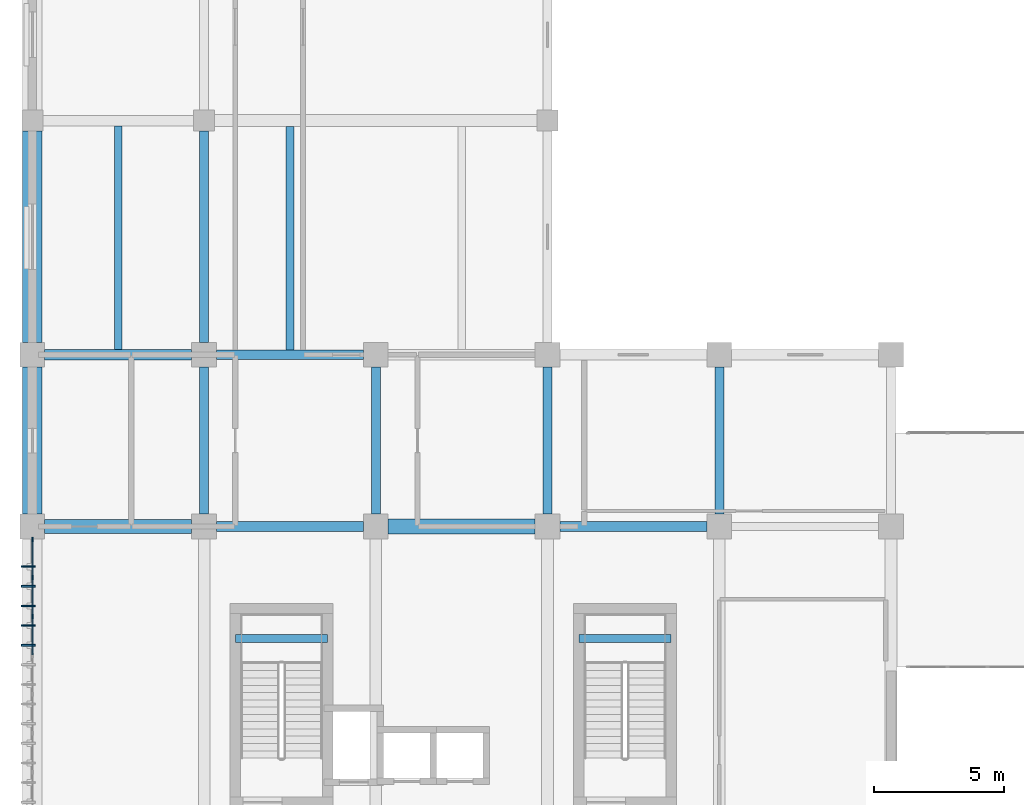
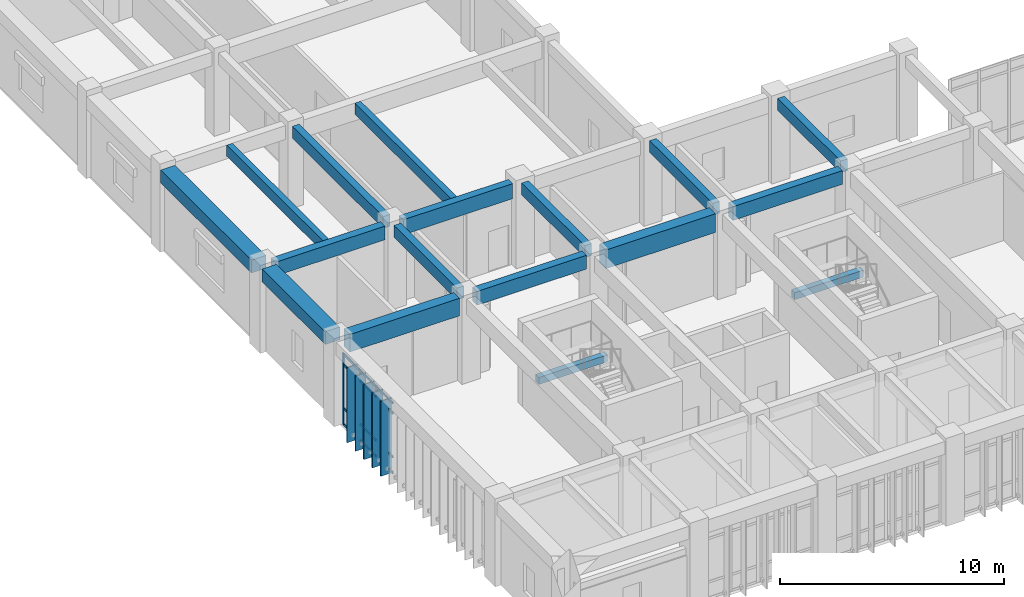
# One storey, part 5 of 65: 20 members, 17 beams, 1 element without a shape of its own.
"""IFC4 building model written with IfcOpenShell, lengths in metres."""

import ifcopenshell
import ifcopenshell.guid

model = None  # the IFC model being written
_history = None  # IfcOwnerHistory: only IFC2X3 demands one
_inside = {}  # id of a spatial element -> (the spatial element, [elements in it])
_under = {}  # id of a project, library or spatial element -> (it, [spatial elements below it])
_declared = {}  # id of a project -> (the project, [libraries it declares])
_typed = {}  # id of a type object -> (the type object, [elements of that type])
_made_of = {}  # id of a material, layer set ... -> (it, [elements and type objects made of it])


def new_model(schema):
    """Start an empty IFC model of exactly this schema.

    Asked for "IFC4X3", IfcOpenShell would pick the latest addendum, in which some entities
    have other attributes; the version numbers below select the first issue.
    IFC2X3 requires an IfcOwnerHistory on every rooted entity: one is made here for all.
    """
    global model, _history
    if schema == "IFC4X3":
        model = ifcopenshell.file(schema_version=(4, 3, 0, 0))
    else:
        model = ifcopenshell.file(schema=schema)
    _inside.clear()
    _under.clear()
    _declared.clear()
    _typed.clear()
    _made_of.clear()
    _history = None
    if model.schema == "IFC2X3":
        org = make("IfcOrganization", Name="unknown")
        user = make(
            "IfcPersonAndOrganization",
            ThePerson=make("IfcPerson", FamilyName="unknown"),
            TheOrganization=org,
        )
        app = make(
            "IfcApplication",
            ApplicationDeveloper=org,
            Version="unknown",
            ApplicationFullName="unknown",
            ApplicationIdentifier="unknown",
        )
        _history = make(
            "IfcOwnerHistory",
            OwningUser=user,
            OwningApplication=app,
            ChangeAction="ADDED",
            CreationDate=0,
        )
    return model


def make(cls, **values):
    """One entity of the class cls with the attributes given. An attribute that is None is left unset."""
    return model.create_entity(
        cls, **{name: value for name, value in values.items() if value is not None}
    )


def rooted(cls, **values):
    """An entity with a GlobalId (a new one), such as an element, a storey or a relation."""
    return make(cls, GlobalId=ifcopenshell.guid.new(), OwnerHistory=_history, **values)


def si_unit(unit_type, name, prefix=None):
    """IfcSIUnit, for example si_unit("LENGTHUNIT", "METRE", prefix="MILLI")."""
    return make("IfcSIUnit", UnitType=unit_type, Prefix=prefix, Name=name)


def assignment(units):
    """IfcUnitAssignment: the units of a project."""
    return None if units is None else make("IfcUnitAssignment", Units=units)


def point(xyz):
    """IfcCartesianPoint."""
    return None if xyz is None else make("IfcCartesianPoint", Coordinates=xyz)


def direction(xyz):
    """IfcDirection."""
    return None if xyz is None else make("IfcDirection", DirectionRatios=xyz)


def frame(location, z_axis=None, x_axis=None):
    """IfcAxis2Placement3D, a coordinate frame: its origin and axes. An axis left out is left unset."""
    return make(
        "IfcAxis2Placement3D",
        Location=point(location),
        Axis=direction(z_axis),
        RefDirection=direction(x_axis),
    )


def frame_2d(location, x_axis=None):
    """IfcAxis2Placement2D, a coordinate frame in the plane: its origin and x axis."""
    return make(
        "IfcAxis2Placement2D", Location=point(location), RefDirection=direction(x_axis)
    )


def origin():
    """The frame at (0, 0, 0) with its axes left unset."""
    return frame((0.0, 0.0, 0.0))


def origin_2d():
    """The frame at (0, 0) in the plane with its x axis left unset."""
    return frame_2d((0.0, 0.0))


def place(relative_to, where):
    """IfcLocalPlacement: puts the frame where relative to a parent placement (None: the world)."""
    return make(
        "IfcLocalPlacement", PlacementRelTo=relative_to, RelativePlacement=where
    )


def context(
    kind, dimensions, precision=None, world=None, true_north=None, identifier=None
):
    """IfcGeometricRepresentationContext, for example the 3D "Model" context."""
    return make(
        "IfcGeometricRepresentationContext",
        ContextIdentifier=identifier,
        ContextType=kind,
        CoordinateSpaceDimension=dimensions,
        Precision=precision,
        WorldCoordinateSystem=world,
        TrueNorth=true_north,
    )


def subcontext(parent, identifier, kind, view, scale=None):
    """IfcGeometricRepresentationSubContext, for example "Body" below "Model"."""
    return make(
        "IfcGeometricRepresentationSubContext",
        ContextIdentifier=identifier,
        ContextType=kind,
        ParentContext=parent,
        TargetScale=scale,
        TargetView=view,
    )


def project(units=None, contexts=None):
    """IfcProject with its units and contexts."""
    return rooted(
        "IfcProject",
        Name="project",
        RepresentationContexts=contexts,
        UnitsInContext=assignment(units),
    )


def spatial(cls, under=None, at=None, **own):
    """A site, building, storey or space (cls), placed at a placement, below another one or the project."""
    s = rooted(cls, ObjectPlacement=at, **own)
    if under is not None:
        _under.setdefault(under.id(), (under, []))[1].append(s)
    return s


def profile(cls, at=None, kind="AREA", **sizes):
    """A parametric profile (cls). Its sizes go by their IFC names, for example OverallWidth=200.0."""
    return make(cls, ProfileType=kind, Position=at, **sizes)


def rectangle(**sizes):
    """IfcRectangleProfileDef."""
    return profile("IfcRectangleProfileDef", **sizes)


def extrude(swept, where, along, depth):
    """IfcExtrudedAreaSolid: the profile swept, set in the frame where, extruded along a direction by depth."""
    return make(
        "IfcExtrudedAreaSolid",
        SweptArea=swept,
        Position=where,
        ExtrudedDirection=direction(along),
        Depth=depth,
    )


def shape(context_of_items, identifier, shape_type, items):
    """IfcShapeRepresentation: the items that make up one representation, for example the "Body"."""
    return make(
        "IfcShapeRepresentation",
        ContextOfItems=context_of_items,
        RepresentationIdentifier=identifier,
        RepresentationType=shape_type,
        Items=items,
    )


def material(Name=None, Category=None):
    """IfcMaterial."""
    return make("IfcMaterial", Name=Name, Category=Category)


def layer(
    of_material, thickness, ventilated=None, Name=None, Category=None, Priority=None
):
    """IfcMaterialLayer: one layer of a wall or slab, of a material (None: an air gap)."""
    return make(
        "IfcMaterialLayer",
        Material=of_material,
        LayerThickness=thickness,
        IsVentilated=ventilated,
        Name=Name,
        Category=Category,
        Priority=Priority,
    )


def layer_set(layers, Name=None):
    """IfcMaterialLayerSet."""
    return make("IfcMaterialLayerSet", MaterialLayers=layers, LayerSetName=Name)


def material_profile(
    of_material, cross_section, Name=None, Category=None, Priority=None
):
    """IfcMaterialProfile: a cross section and its material."""
    return make(
        "IfcMaterialProfile",
        Name=Name,
        Material=of_material,
        Profile=cross_section,
        Priority=Priority,
        Category=Category,
    )


def profile_set(profiles, Name=None, composite=None):
    """IfcMaterialProfileSet."""
    return make(
        "IfcMaterialProfileSet",
        Name=Name,
        MaterialProfiles=profiles,
        CompositeProfile=composite,
    )


def made_of(thing, what):
    """Note that an element or type object is made of a material, layer set ...; save() writes the relation."""
    if what is not None:
        _made_of.setdefault(what.id(), (what, []))[1].append(thing)
    return thing


def type_object(cls, material=None, **own):
    """A type object (cls), such as IfcWallType, which elements share."""
    return made_of(rooted(cls, **own), material)


def element(
    cls,
    number,
    at=None,
    inside=None,
    cuts=None,
    type_object=None,
    material=None,
    context=None,
    identifier="Body",
    shape_type=None,
    held_by="IfcProductDefinitionShape",
    body=None,
    shapes=None,
    **own,
):
    """One element of the class cls, such as IfcWall. Its Tag is "e" and its number.

    at: its placement. inside: the storey or other place that contains it. cuts: it is an
    opening in that element (IfcRelVoidsElement). A single representation is given by context,
    identifier, shape_type and body (its items); several are given by shapes. held_by: the class
    of the entity that holds the representations. save() writes the other relations.
    """
    e = rooted(cls, Tag="e%d" % number, ObjectPlacement=at, **own)
    if body is not None:
        shapes = [shape(context, identifier, shape_type, body)]
    if shapes is not None:
        e.Representation = make(held_by, Representations=shapes)
    if inside is not None:
        _inside.setdefault(inside.id(), (inside, []))[1].append(e)
    if cuts is not None:
        rooted(
            "IfcRelVoidsElement", RelatingBuildingElement=cuts, RelatedOpeningElement=e
        )
    if type_object is not None:
        _typed.setdefault(type_object.id(), (type_object, []))[1].append(e)
    return made_of(e, material)


def aggregate(whole, parts):
    """IfcRelAggregates: a whole, such as a stair, and the parts it consists of."""
    return rooted("IfcRelAggregates", RelatingObject=whole, RelatedObjects=parts)


def save(model, path):
    """Write the relations noted so far, then the file.

    IfcRelAggregates (storeys below a building ...), IfcRelContainedInSpatialStructure (elements
    in a storey), IfcRelDefinesByType, IfcRelAssociatesMaterial and IfcRelDeclares: one each for
    every whole, place, type object, material and project.
    """
    for whole, parts in _under.values():
        aggregate(whole, parts)
    for where, things in _inside.values():
        rooted(
            "IfcRelContainedInSpatialStructure",
            RelatedElements=things,
            RelatingStructure=where,
        )
    for kind, things in _typed.values():
        rooted("IfcRelDefinesByType", RelatedObjects=things, RelatingType=kind)
    for what, things in _made_of.values():
        rooted("IfcRelAssociatesMaterial", RelatedObjects=things, RelatingMaterial=what)
    for by, libraries in _declared.values():
        rooted("IfcRelDeclares", RelatingContext=by, RelatedDefinitions=libraries)
    model.write(path)


model = new_model("IFC4")

# Units and contexts
model_context = context("Model", 3, precision=1e-05, world=origin(), true_north=direction((0.0, 1.0)))
body_context = subcontext(model_context, "Body", "Model", "MODEL_VIEW")
ifc_project = project(units=[si_unit("LENGTHUNIT", "METRE"), si_unit("AREAUNIT", "SQUARE_METRE"), si_unit("VOLUMEUNIT", "CUBIC_METRE"), si_unit("PLANEANGLEUNIT", "RADIAN"), si_unit("MASSUNIT", "GRAM", prefix="KILO")], contexts=[model_context])

# Site, building, storey
site_placement = place(None, origin())
site = spatial("IfcSite", under=ifc_project, at=site_placement, CompositionType="ELEMENT")
building_placement = place(site_placement, origin())
building = spatial("IfcBuilding", under=site, at=building_placement, Name="Miralva Faculty of Natural Sciences", CompositionType="ELEMENT")
storey_placement = place(building_placement, frame((0.0, 0.0, 10.199951171875)))
storey = spatial("IfcBuildingStorey", under=building, at=storey_placement, Name="L02", CompositionType="ELEMENT", Elevation=10.199951171875)

# Beams
ifc_material_1 = material(Name="Concrete C40/50", Category="concrete")
ifc_material_profile_1 = material_profile(ifc_material_1, rectangle(XDim=0.39990234375, YDim=0.75, at=origin_2d()), Name="RC 400x750")
ifc_profile_set_1 = profile_set([ifc_material_profile_1], Name="Concrete C40/50")
beam_type_1 = type_object("IfcBeamType", Name="BM-B03", PredefinedType="BEAM", material=ifc_profile_set_1)
for number, where, z_axis, x_axis, name in (
    (1, (10.074951171875, 23.39990234375, 4.205078125), (1.0, 0.0, 0.0), (0.0, 1.0, 0.0), "Girder EW L02-18"),
    (2, (23.27490234375, 23.39990234375, 4.205078125), (1.0, 0.0, 0.0), (0.0, 1.0, 0.0), "Girder EW L02-20"),
):
    element("IfcBeam", number, at=place(storey_placement, frame(where, z_axis=z_axis, x_axis=x_axis)), inside=storey, type_object=beam_type_1, Name=name, PredefinedType="BEAM", context=body_context, shape_type="SweptSolid", body=[
        extrude(rectangle(XDim=0.39990234375, YDim=0.75, at=origin_2d()), origin(), (0.0, 0.0, 1.0), 5.650146484375),
    ])
beam_1_placement = place(storey_placement, frame((3.47509765625, 30.0, 4.10498046875), z_axis=(1.0, 0.0, 0.0), x_axis=(0.0, 1.0, 0.0)))
element("IfcBeam", 3, at=beam_1_placement, inside=storey, type_object=beam_type_1, Name="Girder EW L02-26", PredefinedType="BEAM", context=body_context, shape_type="SweptSolid", body=[
    extrude(rectangle(XDim=0.39990234375, YDim=0.75, at=origin_2d()), origin(), (0.0, 0.0, 1.0), 5.64990234375),
])
ifc_material_profile_2 = material_profile(ifc_material_1, rectangle(XDim=0.35009765625, YDim=0.64990234375, at=origin_2d()), Name="RC 350x650")
ifc_profile_set_2 = profile_set([ifc_material_profile_2], Name="Concrete C40/50")
beam_type_2 = type_object("IfcBeamType", Name="BM-B05", PredefinedType="BEAM", material=ifc_profile_set_2)
beam_2_placement = place(storey_placement, frame((9.60009765625, 23.875, 4.255126953125), z_axis=(0.0, 1.0, 0.0), x_axis=(-1.0, 0.0, 0.0)))
element("IfcBeam", 4, at=beam_2_placement, inside=storey, type_object=beam_type_2, Name="Girder NS L02-85", PredefinedType="BEAM", context=body_context, shape_type="SweptSolid", body=[
    extrude(rectangle(XDim=0.35009765625, YDim=0.64990234375, at=origin_2d()), origin(), (0.0, 0.0, 1.0), 5.64990234375),
])
beam_3_placement = place(storey_placement, frame((9.60009765625, 30.47509765625, 4.155029296875), z_axis=(0.0, 1.0, 0.0), x_axis=(-1.0, 0.0, 0.0)))
element("IfcBeam", 5, at=beam_3_placement, inside=storey, type_object=beam_type_2, Name="Girder NS L02-86", PredefinedType="BEAM", context=body_context, shape_type="SweptSolid", body=[
    extrude(rectangle(XDim=0.35009765625, YDim=0.64990234375, at=origin_2d()), origin(), (0.0, 0.0, 1.0), 8.125),
])
for number, where, z_axis, x_axis, name in (
    (6, (16.199951171875, 23.875, 4.255126953125), (0.0, 1.0, 0.0), (-1.0, 0.0, 0.0), "Girder NS L02-98"),
    (7, (22.800048828125, 23.875, 4.255126953125), (0.0, 1.0, 0.0), (-1.0, 0.0, 0.0), "Girder NS L02-101"),
    (8, (29.39990234375, 23.875, 4.255126953125), (0.0, 1.0, 0.0), (-1.0, 0.0, 0.0), "Girder NS L02-114"),
):
    element("IfcBeam", number, at=place(storey_placement, frame(where, z_axis=z_axis, x_axis=x_axis)), inside=storey, type_object=beam_type_2, Name=name, PredefinedType="BEAM", context=body_context, shape_type="SweptSolid", body=[
        extrude(rectangle(XDim=0.35009765625, YDim=0.64990234375, at=origin_2d()), origin(), (0.0, 0.0, 1.0), 5.64990234375),
    ])
ifc_material_profile_3 = material_profile(ifc_material_1, rectangle(XDim=0.3798828125, YDim=0.820068359375, at=origin_2d()), Name="RC 380x820")
ifc_profile_set_3 = profile_set([ifc_material_profile_3], Name="Concrete C40/50")
beam_type_3 = type_object("IfcBeamType", Name="BM-BG08", PredefinedType="BEAM", material=ifc_profile_set_3)
beam_4_placement = place(storey_placement, frame((10.074951171875, 30.0, 4.070068359375), z_axis=(1.0, 0.0, 0.0), x_axis=(0.0, 1.0, 0.0)))
element("IfcBeam", 9, at=beam_4_placement, inside=storey, type_object=beam_type_3, Name="Girder EW L02-27", PredefinedType="BEAM", context=body_context, shape_type="SweptSolid", body=[
    extrude(rectangle(XDim=0.3798828125, YDim=0.820068359375, at=origin_2d()), origin(), (0.0, 0.0, 1.0), 5.650146484375),
])
ifc_material_profile_4 = material_profile(ifc_material_1, rectangle(XDim=0.52001953125, YDim=0.9599609375, at=origin_2d()), Name="RC 520x960")
ifc_profile_set_4 = profile_set([ifc_material_profile_4], Name="Concrete C40/50")
beam_type_4 = type_object("IfcBeamType", Name="BM-BG20", PredefinedType="BEAM", material=ifc_profile_set_4)
beam_5_placement = place(storey_placement, frame((3.47509765625, 23.39990234375, 4.10009765625), z_axis=(1.0, 0.0, 0.0), x_axis=(0.0, 1.0, 0.0)))
element("IfcBeam", 10, at=beam_5_placement, inside=storey, type_object=beam_type_4, Name="Girder EW L02-17", PredefinedType="BEAM", context=body_context, shape_type="SweptSolid", body=[
    extrude(rectangle(XDim=0.52001953125, YDim=0.9599609375, at=origin_2d()), origin(), (0.0, 0.0, 1.0), 5.64990234375),
])
ifc_material_profile_5 = material_profile(ifc_material_1, rectangle(XDim=0.56005859375, YDim=1.02001953125, at=origin_2d()), Name="RC 560x1020")
ifc_profile_set_5 = profile_set([ifc_material_profile_5], Name="Concrete C40/50")
beam_type_5 = type_object("IfcBeamType", Name="BM-BG22", PredefinedType="BEAM", material=ifc_profile_set_5)
beam_6_placement = place(storey_placement, frame((16.675048828125, 23.39990234375, 4.070068359375), z_axis=(1.0, 0.0, 0.0), x_axis=(0.0, 1.0, 0.0)))
element("IfcBeam", 11, at=beam_6_placement, inside=storey, type_object=beam_type_5, Name="Girder EW L02-19", PredefinedType="BEAM", context=body_context, shape_type="SweptSolid", body=[
    extrude(rectangle(XDim=0.56005859375, YDim=1.02001953125, at=origin_2d()), origin(), (0.0, 0.0, 1.0), 5.64990234375),
])
ifc_material_profile_6 = material_profile(ifc_material_1, rectangle(XDim=0.300048828125, YDim=0.60009765625, at=origin_2d()), Name="RC 300x600")
ifc_profile_set_6 = profile_set([ifc_material_profile_6], Name="Concrete C40/50")
beam_type_6 = type_object("IfcBeamType", Name="BM-J01", PredefinedType="JOIST", material=ifc_profile_set_6)
beam_7_placement = place(storey_placement, frame((6.300048828125, 30.199951171875, 4.179931640625), z_axis=(0.0, 1.0, 0.0), x_axis=(-1.0, 0.0, 0.0)))
element("IfcBeam", 12, at=beam_7_placement, inside=storey, type_object=beam_type_6, Name="Floor joist L02-6", PredefinedType="JOIST", context=body_context, shape_type="SweptSolid", body=[
    extrude(rectangle(XDim=0.300048828125, YDim=0.60009765625, at=origin_2d()), origin(), (0.0, 0.0, 1.0), 8.60009765625),
])
beam_8_placement = place(storey_placement, frame((12.89990234375, 30.18994140625, 4.179931640625), z_axis=(0.0, 1.0, 0.0), x_axis=(-1.0, 0.0, 0.0)))
element("IfcBeam", 13, at=beam_8_placement, inside=storey, type_object=beam_type_6, Name="Floor joist L02-7", PredefinedType="JOIST", context=body_context, shape_type="SweptSolid", body=[
    extrude(rectangle(XDim=0.300048828125, YDim=0.60009765625, at=origin_2d()), origin(), (0.0, 0.0, 1.0), 8.580078125),
])
ifc_material_profile_7 = material_profile(ifc_material_1, rectangle(XDim=0.300048828125, YDim=0.3798828125, at=origin_2d()), Name="RC 300x380")
ifc_profile_set_7 = profile_set([ifc_material_profile_7], Name="Concrete C40/50")
beam_type_7 = type_object("IfcBeamType", Name="BM-LND01", PredefinedType="BEAM", material=ifc_profile_set_7)
for number, where, z_axis, x_axis, name in (
    (14, (10.800048828125, 19.094970703125, 2.02001953125), (1.0, 0.0, 0.0), (0.0, 1.0, 0.0), "Stair Core C1 half-landing support beam L02"),
    (15, (24.0, 19.094970703125, 2.02001953125), (1.0, 0.0, 0.0), (0.0, 1.0, 0.0), "Stair Core C1B half-landing support beam L02"),
):
    element("IfcBeam", number, at=place(storey_placement, frame(where, z_axis=z_axis, x_axis=x_axis)), inside=storey, type_object=beam_type_7, Name=name, PredefinedType="BEAM", context=body_context, shape_type="SweptSolid", body=[
        extrude(rectangle(XDim=0.300048828125, YDim=0.3798828125, at=origin_2d()), origin(), (0.0, 0.0, 1.0), 3.550048828125),
    ])
ifc_material_profile_8 = material_profile(ifc_material_1, rectangle(XDim=0.75, YDim=0.699951171875, at=origin_2d()), Name="RC 750x700")
ifc_profile_set_8 = profile_set([ifc_material_profile_8], Name="Concrete C40/50")
beam_type_8 = type_object("IfcBeamType", Name="BM-SP01", PredefinedType="SPANDREL", material=ifc_profile_set_8)
beam_9_placement = place(storey_placement, frame((3.0, 23.875, 4.22998046875), z_axis=(0.0, 1.0, 0.0), x_axis=(-1.0, 0.0, 0.0)))
element("IfcBeam", 16, at=beam_9_placement, inside=storey, type_object=beam_type_8, Name="Girder NS L02-72", PredefinedType="SPANDREL", context=body_context, shape_type="SweptSolid", body=[
    extrude(rectangle(XDim=0.75, YDim=0.699951171875, at=origin_2d()), origin(), (0.0, 0.0, 1.0), 5.64990234375),
])
beam_10_placement = place(storey_placement, frame((3.0, 30.47509765625, 4.130126953125), z_axis=(0.0, 1.0, 0.0), x_axis=(-1.0, 0.0, 0.0)))
element("IfcBeam", 17, at=beam_10_placement, inside=storey, type_object=beam_type_8, Name="Girder NS L02-73", PredefinedType="SPANDREL", context=body_context, shape_type="SweptSolid", body=[
    extrude(rectangle(XDim=0.75, YDim=0.699951171875, at=origin_2d()), origin(), (0.0, 0.0, 1.0), 8.125),
])

# Curtain wall, members
ifc_material_2 = material(Name="Laminated solar-control glass", Category="glass")
ifc_layer = layer(ifc_material_2, 0.179931640625, Name="CW-TWR-L01")
ifc_layer_set = layer_set([ifc_layer], Name="Laminated solar-control glass")
curtain_wall_type = type_object("IfcCurtainWallType", Name="CW-TWR-L01", PredefinedType="USERDEFINED", material=ifc_layer_set)
curtain_wall_placement = place(storey_placement, origin())
curtain_wall = element("IfcCurtainWall", 18, at=curtain_wall_placement, inside=storey, type_object=curtain_wall_type, Name="Curtain wall CW-13 L02-223", ObjectType="UNITISED CURTAIN WALL", PredefinedType="USERDEFINED")
ifc_material_3 = material(Name="Anodised aluminium", Category="aluminium")
ifc_material_profile_9 = material_profile(ifc_material_3, rectangle(XDim=0.06494140625, YDim=0.159912109375, at=origin_2d()), Name="MULLION 65x160")
ifc_profile_set_9 = profile_set([ifc_material_profile_9], Name="Anodised aluminium")
member_type_1 = type_object("IfcMemberType", Name="CW-M02", PredefinedType="MULLION", material=ifc_profile_set_9)
member_1_placement = place(storey_placement, frame((3.0, 19.941650390625, 0.0), z_axis=(0.0, 0.0, 1.0), x_axis=(-1.0, 0.0, 0.0)))
member_1 = element("IfcMember", 19, at=member_1_placement, type_object=member_type_1, Name="CW-13 mullion 8", PredefinedType="MULLION", context=body_context, shape_type="SweptSolid", body=[
    extrude(rectangle(XDim=0.06494140625, YDim=0.159912109375, at=origin_2d()), origin(), (0.0, 0.0, 1.0), 3.875),
])
member_2_placement = place(storey_placement, frame((3.0, 21.438232421875, 0.0), z_axis=(0.0, 0.0, 1.0), x_axis=(-1.0, 0.0, 0.0)))
member_2 = element("IfcMember", 20, at=member_2_placement, type_object=member_type_1, Name="CW-13 mullion 9", PredefinedType="MULLION", context=body_context, shape_type="SweptSolid", body=[
    extrude(rectangle(XDim=0.06494140625, YDim=0.159912109375, at=origin_2d()), origin(), (0.0, 0.0, 1.0), 3.875),
])
member_3_placement = place(storey_placement, frame((3.0, 22.902587890625, 0.0), z_axis=(0.0, 0.0, 1.0), x_axis=(-1.0, 0.0, 0.0)))
member_3 = element("IfcMember", 21, at=member_3_placement, type_object=member_type_1, Name="CW-13 mullion 10", PredefinedType="MULLION", context=body_context, shape_type="SweptSolid", body=[
    extrude(rectangle(XDim=0.06494140625, YDim=0.159912109375, at=origin_2d()), origin(), (0.0, 0.0, 1.0), 3.875),
])
ifc_material_profile_10 = material_profile(ifc_material_3, rectangle(XDim=0.06005859375, YDim=0.1201171875, at=origin_2d()), Name="TRANSOM 60x120")
ifc_profile_set_10 = profile_set([ifc_material_profile_10], Name="Anodised aluminium")
member_type_2 = type_object("IfcMemberType", Name="CW-T02", PredefinedType="USERDEFINED", material=ifc_profile_set_10)
member_4_placement = place(storey_placement, frame((3.0, 18.4775390625, 0.030029296875), z_axis=(0.0, 1.0, 0.0), x_axis=(-1.0, 0.0, 0.0)))
member_4 = element("IfcMember", 22, at=member_4_placement, type_object=member_type_2, Name="CW-13 transom 7.1", ObjectType="TRANSOM", PredefinedType="USERDEFINED", context=body_context, shape_type="SweptSolid", body=[
    extrude(rectangle(XDim=0.06005859375, YDim=0.1201171875, at=origin_2d()), origin(), (0.0, 0.0, 1.0), 1.431640625),
])
member_5_placement = place(storey_placement, frame((3.0, 18.4775390625, 0.900146484375), z_axis=(0.0, 1.0, 0.0), x_axis=(-1.0, 0.0, 0.0)))
member_5 = element("IfcMember", 23, at=member_5_placement, type_object=member_type_2, Name="CW-13 transom 7.2", ObjectType="TRANSOM", PredefinedType="USERDEFINED", context=body_context, shape_type="SweptSolid", body=[
    extrude(rectangle(XDim=0.06005859375, YDim=0.1201171875, at=origin_2d()), origin(), (0.0, 0.0, 1.0), 1.431640625),
])
member_6_placement = place(storey_placement, frame((3.0, 18.4775390625, 3.275146484375), z_axis=(0.0, 1.0, 0.0), x_axis=(-1.0, 0.0, 0.0)))
member_6 = element("IfcMember", 24, at=member_6_placement, type_object=member_type_2, Name="CW-13 transom 7.3", ObjectType="TRANSOM", PredefinedType="USERDEFINED", context=body_context, shape_type="SweptSolid", body=[
    extrude(rectangle(XDim=0.06005859375, YDim=0.1201171875, at=origin_2d()), origin(), (0.0, 0.0, 1.0), 1.431640625),
])
member_7_placement = place(storey_placement, frame((3.0, 18.4775390625, 3.844970703125), z_axis=(0.0, 1.0, 0.0), x_axis=(-1.0, 0.0, 0.0)))
member_7 = element("IfcMember", 25, at=member_7_placement, type_object=member_type_2, Name="CW-13 transom 7.4", ObjectType="TRANSOM", PredefinedType="USERDEFINED", context=body_context, shape_type="SweptSolid", body=[
    extrude(rectangle(XDim=0.06005859375, YDim=0.1201171875, at=origin_2d()), origin(), (0.0, 0.0, 1.0), 1.431640625),
])
member_8_placement = place(storey_placement, frame((3.0, 19.97412109375, 0.030029296875), z_axis=(0.0, 1.0, 0.0), x_axis=(-1.0, 0.0, 0.0)))
member_8 = element("IfcMember", 26, at=member_8_placement, type_object=member_type_2, Name="CW-13 transom 8.1", ObjectType="TRANSOM", PredefinedType="USERDEFINED", context=body_context, shape_type="SweptSolid", body=[
    extrude(rectangle(XDim=0.06005859375, YDim=0.1201171875, at=origin_2d()), origin(), (0.0, 0.0, 1.0), 1.431640625),
])
member_9_placement = place(storey_placement, frame((3.0, 19.97412109375, 0.900146484375), z_axis=(0.0, 1.0, 0.0), x_axis=(-1.0, 0.0, 0.0)))
member_9 = element("IfcMember", 27, at=member_9_placement, type_object=member_type_2, Name="CW-13 transom 8.2", ObjectType="TRANSOM", PredefinedType="USERDEFINED", context=body_context, shape_type="SweptSolid", body=[
    extrude(rectangle(XDim=0.06005859375, YDim=0.1201171875, at=origin_2d()), origin(), (0.0, 0.0, 1.0), 1.431640625),
])
member_10_placement = place(storey_placement, frame((3.0, 19.97412109375, 3.275146484375), z_axis=(0.0, 1.0, 0.0), x_axis=(-1.0, 0.0, 0.0)))
member_10 = element("IfcMember", 28, at=member_10_placement, type_object=member_type_2, Name="CW-13 transom 8.3", ObjectType="TRANSOM", PredefinedType="USERDEFINED", context=body_context, shape_type="SweptSolid", body=[
    extrude(rectangle(XDim=0.06005859375, YDim=0.1201171875, at=origin_2d()), origin(), (0.0, 0.0, 1.0), 1.431640625),
])
member_11_placement = place(storey_placement, frame((3.0, 19.97412109375, 3.844970703125), z_axis=(0.0, 1.0, 0.0), x_axis=(-1.0, 0.0, 0.0)))
member_11 = element("IfcMember", 29, at=member_11_placement, type_object=member_type_2, Name="CW-13 transom 8.4", ObjectType="TRANSOM", PredefinedType="USERDEFINED", context=body_context, shape_type="SweptSolid", body=[
    extrude(rectangle(XDim=0.06005859375, YDim=0.1201171875, at=origin_2d()), origin(), (0.0, 0.0, 1.0), 1.431640625),
])
member_12_placement = place(storey_placement, frame((3.0, 21.470947265625, 0.030029296875), z_axis=(0.0, 1.0, 0.0), x_axis=(-1.0, 0.0, 0.0)))
member_12 = element("IfcMember", 30, at=member_12_placement, type_object=member_type_2, Name="CW-13 transom 9.1", ObjectType="TRANSOM", PredefinedType="USERDEFINED", context=body_context, shape_type="SweptSolid", body=[
    extrude(rectangle(XDim=0.06005859375, YDim=0.1201171875, at=origin_2d()), origin(), (0.0, 0.0, 1.0), 1.399169921875),
])
member_13_placement = place(storey_placement, frame((3.0, 21.470947265625, 0.900146484375), z_axis=(0.0, 1.0, 0.0), x_axis=(-1.0, 0.0, 0.0)))
member_13 = element("IfcMember", 31, at=member_13_placement, type_object=member_type_2, Name="CW-13 transom 9.2", ObjectType="TRANSOM", PredefinedType="USERDEFINED", context=body_context, shape_type="SweptSolid", body=[
    extrude(rectangle(XDim=0.06005859375, YDim=0.1201171875, at=origin_2d()), origin(), (0.0, 0.0, 1.0), 1.399169921875),
])
member_14_placement = place(storey_placement, frame((3.0, 21.470947265625, 3.275146484375), z_axis=(0.0, 1.0, 0.0), x_axis=(-1.0, 0.0, 0.0)))
member_14 = element("IfcMember", 32, at=member_14_placement, type_object=member_type_2, Name="CW-13 transom 9.3", ObjectType="TRANSOM", PredefinedType="USERDEFINED", context=body_context, shape_type="SweptSolid", body=[
    extrude(rectangle(XDim=0.06005859375, YDim=0.1201171875, at=origin_2d()), origin(), (0.0, 0.0, 1.0), 1.399169921875),
])
member_15_placement = place(storey_placement, frame((3.0, 21.470947265625, 3.844970703125), z_axis=(0.0, 1.0, 0.0), x_axis=(-1.0, 0.0, 0.0)))
member_15 = element("IfcMember", 33, at=member_15_placement, type_object=member_type_2, Name="CW-13 transom 9.4", ObjectType="TRANSOM", PredefinedType="USERDEFINED", context=body_context, shape_type="SweptSolid", body=[
    extrude(rectangle(XDim=0.06005859375, YDim=0.1201171875, at=origin_2d()), origin(), (0.0, 0.0, 1.0), 1.399169921875),
])
aggregate(curtain_wall, [member_1, member_2, member_3, member_4, member_5, member_6, member_7, member_8, member_9, member_10, member_11, member_12, member_13, member_14, member_15])

# Members
ifc_material_profile_11 = material_profile(ifc_material_3, rectangle(XDim=0.06494140625, YDim=0.550048828125, at=origin_2d()), Name="FIN 550x65")
ifc_profile_set_11 = profile_set([ifc_material_profile_11], Name="Anodised aluminium")
member_type_3 = type_object("IfcMemberType", Name="MEM-SF03", PredefinedType="USERDEFINED", material=ifc_profile_set_11)
for number, where, z_axis, x_axis, name in (
    (34, (2.840087890625, 18.84033203125, -0.219970703125), (0.0, 0.0, 1.0), (0.0, -1.0, 0.0), "Solar shading fin SF-03 L02-256"),
    (35, (2.840087890625, 19.5947265625, -0.219970703125), (0.0, 0.0, 1.0), (0.0, -1.0, 0.0), "Solar shading fin SF-03 L02-257"),
    (36, (2.840087890625, 20.34912109375, -0.219970703125), (0.0, 0.0, 1.0), (0.0, -1.0, 0.0), "Solar shading fin SF-03 L02-258"),
    (37, (2.840087890625, 21.103515625, -0.219970703125), (0.0, 0.0, 1.0), (0.0, -1.0, 0.0), "Solar shading fin SF-03 L02-259"),
    (38, (2.840087890625, 21.85791015625, -0.219970703125), (0.0, 0.0, 1.0), (0.0, -1.0, 0.0), "Solar shading fin SF-03 L02-260"),
):
    element("IfcMember", number, at=place(storey_placement, frame(where, z_axis=z_axis, x_axis=x_axis)), inside=storey, type_object=member_type_3, Name=name, ObjectType="SUNSHADE", PredefinedType="USERDEFINED", context=body_context, shape_type="SweptSolid", body=[
        extrude(rectangle(XDim=0.06494140625, YDim=0.550048828125, at=origin_2d()), origin(), (0.0, 0.0, 1.0), 4.094970703125),
    ])

save(model, "model.ifc")
